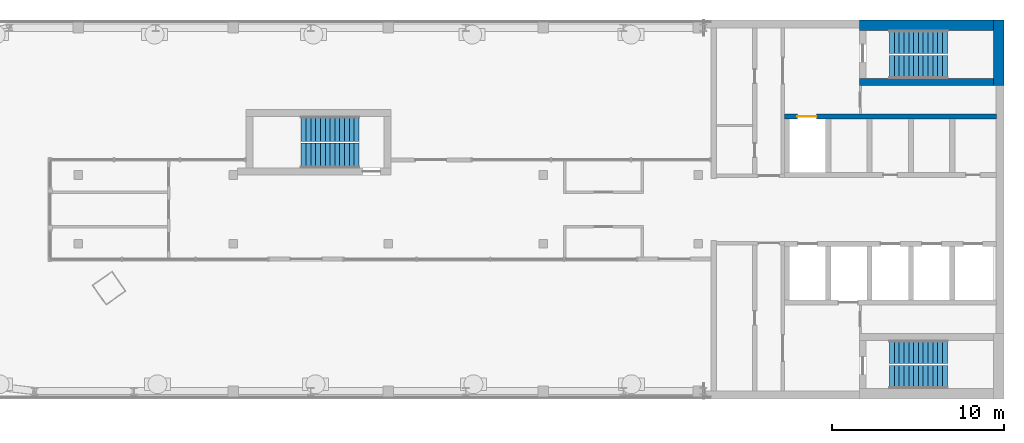
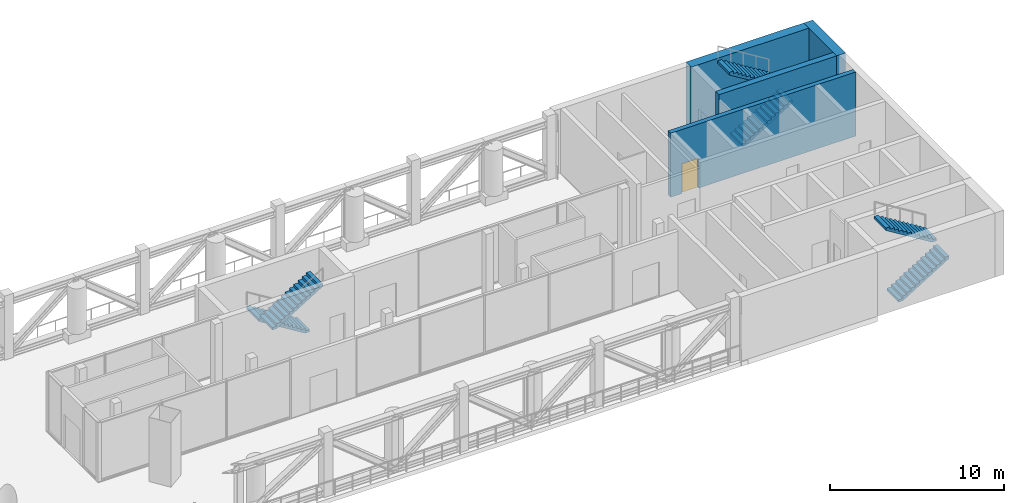
# One storey, part 6 of 9: 6 stair flights, 4 walls, 1 door, 1 opening, 3 elements without a shape of their own.
"""IFC4 building model written with IfcOpenShell, lengths in metres."""

from ifc_helpers import new_model, si_unit, direction, frame, frame_2d, origin, place, context, subcontext, project, spatial, polyline, rectangle, outline, extrude, material, layer, layer_set, type_object, element, fill, aggregate, save


model = new_model("IFC4")

# Units and contexts
model_context = context("Model", 3, precision=1e-05, world=origin(), true_north=direction((0.0, 1.0)))
body_context = subcontext(model_context, "Body", "Model", "MODEL_VIEW")
ifc_project = project(units=[si_unit("LENGTHUNIT", "METRE"), si_unit("AREAUNIT", "SQUARE_METRE"), si_unit("VOLUMEUNIT", "CUBIC_METRE"), si_unit("PLANEANGLEUNIT", "RADIAN"), si_unit("MASSUNIT", "GRAM", prefix="KILO")], contexts=[model_context])

# Site, building, storey
site_placement = place(None, origin())
site = spatial("IfcSite", under=ifc_project, at=site_placement, CompositionType="ELEMENT")
building_placement = place(site_placement, origin())
building = spatial("IfcBuilding", under=site, at=building_placement, Name="Skarvind Civic Tower", CompositionType="ELEMENT")
storey_placement = place(building_placement, frame((0.0, 0.0, 277.5)))
storey = spatial("IfcBuildingStorey", under=building, at=storey_placement, Name="L66", CompositionType="ELEMENT", Elevation=277.5)

# Wall, opening, door
ifc_material_1 = material(Name="Concrete C60", Category="concrete")
ifc_layer_1 = layer(ifc_material_1, 0.300048828125)
ifc_layer_set_1 = layer_set([ifc_layer_1], Name="Core wall 300 C60")
wall_type_1 = type_object("IfcWallType", Name="Core wall 300 C60", PredefinedType="SHEAR", material=ifc_layer_set_1)
wall_1_placement = place(storey_placement, frame((107.550048828125, 133.39990234375, 0.0), z_axis=(0.0, 0.0, 1.0), x_axis=(-1.0, 0.0, 0.0)))
wall_1 = element("IfcWall", 1, at=wall_1_placement, inside=storey, type_object=wall_type_1, Name="Core wall C1 south lift row back L66", PredefinedType="SHEAR", context=body_context, shape_type="SweptSolid", body=[
    extrude(rectangle(XDim=12.300048828125, YDim=0.300048828125, at=frame_2d((6.14990234375, 0.0))), origin(), (0.0, 0.0, 1.0), 4.5),
])
opening_placement = place(wall_1_placement, frame((10.449951171875, 0.0, 0.0)))
opening = element("IfcOpeningElement", 2, at=opening_placement, cuts=wall_1, Name="Opening LD68110", PredefinedType="OPENING", context=body_context, shape_type="SweptSolid", body=[
    extrude(rectangle(XDim=1.10009765625, YDim=2.10009765625, at=frame_2d((0.550048828125, 1.050048828125))), frame((0.0, 0.159912109375, 0.0), z_axis=(0.0, -1.0, 0.0), x_axis=(1.0, 0.0, 0.0)), (0.0, 0.0, 1.0), 0.320068359375),
])
ifc_material_2 = material(Name="Stainless steel landing door", Category="steel")
door_type = type_object("IfcDoorType", Name="Lift landing door 1100", OperationType="DOUBLE_DOOR_SLIDING", PredefinedType="DOOR", material=ifc_material_2)
door_placement = place(opening_placement, origin())
door = element("IfcDoor", 3, at=door_placement, inside=storey, type_object=door_type, Name="Lift landing door", OperationType="DOUBLE_DOOR_SLIDING", OverallHeight=2.10009765625, OverallWidth=1.10009765625, PredefinedType="DOOR", context=body_context, shape_type="SweptSolid", body=[
    extrude(rectangle(XDim=1.10009765625, YDim=2.10009765625, at=frame_2d((0.550048828125, 1.050048828125))), frame((0.0, 0.02490234375, 0.0), z_axis=(0.0, -1.0, 0.0), x_axis=(1.0, 0.0, 0.0)), (0.0, 0.0, 1.0), 0.050048828125),
])
fill(opening, door)

# Walls
ifc_layer_2 = layer(ifc_material_1, 0.39990234375)
ifc_layer_set_2 = layer_set([ifc_layer_2], Name="Core wall 400 C60")
wall_type_2 = type_object("IfcWallType", Name="Core wall 400 C60", PredefinedType="SHEAR", material=ifc_layer_set_2)
wall_2_placement = place(storey_placement, frame((107.39990234375, 135.39990234375, 0.0), z_axis=(0.0, 0.0, 1.0), x_axis=(-1.0, 0.0, 0.0)))
element("IfcWall", 4, at=wall_2_placement, inside=storey, type_object=wall_type_2, Name="Core wall C1 south stair inner L66", PredefinedType="SHEAR", context=body_context, shape_type="SweptSolid", body=[
    extrude(rectangle(XDim=7.7998046875, YDim=0.39990234375, at=frame_2d((3.89990234375, 0.0))), origin(), (0.0, 0.0, 1.0), 4.5),
])
ifc_layer_3 = layer(ifc_material_1, 0.60009765625)
ifc_layer_set_3 = layer_set([ifc_layer_3], Name="Core wall 600 C60")
wall_type_3 = type_object("IfcWallType", Name="Core wall 600 C60", PredefinedType="SHEAR", material=ifc_layer_set_3)
wall_3_placement = place(storey_placement, frame((107.699951171875, 139.0, 0.0), z_axis=(0.0, 0.0, 1.0), x_axis=(0.0, -1.0, 0.0)))
element("IfcWall", 5, at=wall_3_placement, inside=storey, type_object=wall_type_3, Name="Core wall C1 tip at the south stair L66", PredefinedType="SHEAR", context=body_context, shape_type="SweptSolid", body=[
    extrude(rectangle(XDim=3.800048828125, YDim=0.60009765625, at=frame_2d((1.89990234375, 0.0))), origin(), (0.0, 0.0, 1.0), 4.5),
])
wall_4_placement = place(storey_placement, frame((107.39990234375, 138.699951171875, 0.0), z_axis=(0.0, 0.0, 1.0), x_axis=(-1.0, 0.0, 0.0)))
element("IfcWall", 6, at=wall_4_placement, inside=storey, type_object=wall_type_3, Name="Core wall C1 south side at the stair L66", PredefinedType="SHEAR", context=body_context, shape_type="SweptSolid", body=[
    extrude(rectangle(XDim=7.7998046875, YDim=0.60009765625, at=frame_2d((3.89990234375, 0.0))), origin(), (0.0, 0.0, 1.0), 4.5),
])

# Stair, stair flights
ifc_material_3 = material(Name="Concrete C40/50", Category="concrete")
stair_type_1 = type_object("IfcStairType", Name="Exit stair 1450, half-turn, concrete", PredefinedType="HALF_TURN_STAIR", material=ifc_material_3)
stair_1_placement = place(storey_placement, origin())
stair_1 = element("IfcStair", 7, at=stair_1_placement, inside=storey, type_object=stair_type_1, Name="Exit stair CM", PredefinedType="HALF_TURN_STAIR")
stair_flight_type_1 = type_object("IfcStairFlightType", Name="Stair flight 1450, concrete", PredefinedType="STRAIGHT", material=ifc_material_3)
stair_flight_1_placement = place(storey_placement, frame((70.550048828125, 132.675048828125, 0.0), z_axis=(0.0, 0.0, 1.0), x_axis=(-1.0, 0.0, 0.0)))
stair_flight_1 = element("IfcStairFlight", 8, at=stair_flight_1_placement, type_object=stair_flight_type_1, Name="ST-CM flight 1", NumberOfRisers=13, NumberOfTreads=12, PredefinedType="STRAIGHT", RiserHeight=0.173076923, TreadLength=0.28, context=body_context, shape_type="SweptSolid", body=[
    extrude(outline(polyline([(0.0, 0.0), (0.0, 0.173095703125), (0.280029296875, 0.173095703125), (0.280029296875, 0.34619140625), (0.56005859375, 0.34619140625), (0.56005859375, 0.519287109375), (0.840087890625, 0.519287109375), (0.840087890625, 0.6923828125), (1.1201171875, 0.6923828125), (1.1201171875, 0.865478515625), (1.39990234375, 0.865478515625), (1.39990234375, 1.03857421875), (1.679931640625, 1.03857421875), (1.679931640625, 1.21142578125), (1.9599609375, 1.21142578125), (1.9599609375, 1.384521484375), (2.239990234375, 1.384521484375), (2.239990234375, 1.5576171875), (2.52001953125, 1.5576171875), (2.52001953125, 1.730712890625), (2.800048828125, 1.730712890625), (2.800048828125, 1.90380859375), (3.080078125, 1.90380859375), (3.080078125, 2.076904296875), (3.360107421875, 2.076904296875), (3.360107421875, 2.25), (3.360107421875, 1.900634765625), (0.28515625, 0.0), (0.0, 0.0)])), frame((0.0, 0.72509765625, 0.0), z_axis=(0.0, -1.0, 0.0), x_axis=(1.0, 0.0, 0.0)), (0.0, 0.0, 1.0), 1.449951171875),
])
stair_flight_2_placement = place(storey_placement, frame((67.18994140625, 131.125, 2.25), z_axis=(0.0, 0.0, 1.0), x_axis=(1.0, 0.0, 0.0)))
stair_flight_2 = element("IfcStairFlight", 9, at=stair_flight_2_placement, type_object=stair_flight_type_1, Name="ST-CM flight 2", NumberOfRisers=13, NumberOfTreads=12, PredefinedType="STRAIGHT", RiserHeight=0.173076923, TreadLength=0.28, context=body_context, shape_type="SweptSolid", body=[
    extrude(outline(polyline([(0.0, 0.0), (0.0, 0.173095703125), (0.280029296875, 0.173095703125), (0.280029296875, 0.34619140625), (0.56005859375, 0.34619140625), (0.56005859375, 0.519287109375), (0.840087890625, 0.519287109375), (0.840087890625, 0.6923828125), (1.1201171875, 0.6923828125), (1.1201171875, 0.865478515625), (1.39990234375, 0.865478515625), (1.39990234375, 1.03857421875), (1.679931640625, 1.03857421875), (1.679931640625, 1.21142578125), (1.9599609375, 1.21142578125), (1.9599609375, 1.384521484375), (2.239990234375, 1.384521484375), (2.239990234375, 1.5576171875), (2.52001953125, 1.5576171875), (2.52001953125, 1.730712890625), (2.800048828125, 1.730712890625), (2.800048828125, 1.90380859375), (3.080078125, 1.90380859375), (3.080078125, 2.076904296875), (3.360107421875, 2.076904296875), (3.360107421875, 2.25), (3.360107421875, 1.900634765625), (0.28515625, 0.0), (0.0, 0.0)])), frame((0.0, 0.72509765625, 0.0), z_axis=(0.0, -1.0, 0.0), x_axis=(1.0, 0.0, 0.0)), (0.0, 0.0, 1.0), 1.449951171875),
])
aggregate(stair_1, [stair_flight_1, stair_flight_2])

stair_type_2 = type_object("IfcStairType", Name="Exit stair, half-turn, concrete", PredefinedType="HALF_TURN_STAIR", material=ifc_material_3)
stair_2_placement = place(storey_placement, origin())
stair_2 = element("IfcStair", 10, at=stair_2_placement, inside=storey, type_object=stair_type_2, Name="Exit stair C1S", PredefinedType="HALF_TURN_STAIR")
stair_flight_type_2 = type_object("IfcStairFlightType", Name="Stair flight, concrete", PredefinedType="STRAIGHT", material=ifc_material_3)
stair_flight_3_placement = place(storey_placement, frame((101.35009765625, 136.27490234375, 0.0), z_axis=(0.0, 0.0, 1.0), x_axis=(1.0, 0.0, 0.0)))
stair_flight_3 = element("IfcStairFlight", 11, at=stair_flight_3_placement, type_object=stair_flight_type_2, Name="ST-C1S flight 1", NumberOfRisers=13, NumberOfTreads=12, PredefinedType="STRAIGHT", RiserHeight=0.173076923, TreadLength=0.28, context=body_context, shape_type="SweptSolid", body=[
    extrude(outline(polyline([(0.0, 0.0), (0.0, 0.173095703125), (0.280029296875, 0.173095703125), (0.280029296875, 0.34619140625), (0.56005859375, 0.34619140625), (0.56005859375, 0.519287109375), (0.840087890625, 0.519287109375), (0.840087890625, 0.6923828125), (1.1201171875, 0.6923828125), (1.1201171875, 0.865478515625), (1.39990234375, 0.865478515625), (1.39990234375, 1.03857421875), (1.679931640625, 1.03857421875), (1.679931640625, 1.21142578125), (1.9599609375, 1.21142578125), (1.9599609375, 1.384521484375), (2.239990234375, 1.384521484375), (2.239990234375, 1.5576171875), (2.52001953125, 1.5576171875), (2.52001953125, 1.730712890625), (2.800048828125, 1.730712890625), (2.800048828125, 1.90380859375), (3.080078125, 1.90380859375), (3.080078125, 2.076904296875), (3.360107421875, 2.076904296875), (3.360107421875, 2.25), (3.360107421875, 1.900634765625), (0.28515625, 0.0), (0.0, 0.0)])), frame((0.0, 0.675048828125, 0.0), z_axis=(0.0, -1.0, 0.0), x_axis=(1.0, 0.0, 0.0)), (0.0, 0.0, 1.0), 1.35009765625),
])
stair_flight_4_placement = place(storey_placement, frame((104.7099609375, 137.72509765625, 2.25), z_axis=(0.0, 0.0, 1.0), x_axis=(-1.0, 0.0, 0.0)))
stair_flight_4 = element("IfcStairFlight", 12, at=stair_flight_4_placement, type_object=stair_flight_type_2, Name="ST-C1S flight 2", NumberOfRisers=13, NumberOfTreads=12, PredefinedType="STRAIGHT", RiserHeight=0.173076923, TreadLength=0.28, context=body_context, shape_type="SweptSolid", body=[
    extrude(outline(polyline([(0.0, 0.0), (0.0, 0.173095703125), (0.280029296875, 0.173095703125), (0.280029296875, 0.34619140625), (0.56005859375, 0.34619140625), (0.56005859375, 0.519287109375), (0.840087890625, 0.519287109375), (0.840087890625, 0.6923828125), (1.1201171875, 0.6923828125), (1.1201171875, 0.865478515625), (1.39990234375, 0.865478515625), (1.39990234375, 1.03857421875), (1.679931640625, 1.03857421875), (1.679931640625, 1.21142578125), (1.9599609375, 1.21142578125), (1.9599609375, 1.384521484375), (2.239990234375, 1.384521484375), (2.239990234375, 1.5576171875), (2.52001953125, 1.5576171875), (2.52001953125, 1.730712890625), (2.800048828125, 1.730712890625), (2.800048828125, 1.90380859375), (3.080078125, 1.90380859375), (3.080078125, 2.076904296875), (3.360107421875, 2.076904296875), (3.360107421875, 2.25), (3.360107421875, 1.900634765625), (0.28515625, 0.0), (0.0, 0.0)])), frame((0.0, 0.675048828125, 0.0), z_axis=(0.0, -1.0, 0.0), x_axis=(1.0, 0.0, 0.0)), (0.0, 0.0, 1.0), 1.35009765625),
])
aggregate(stair_2, [stair_flight_3, stair_flight_4])

stair_3_placement = place(storey_placement, origin())
stair_3 = element("IfcStair", 13, at=stair_3_placement, inside=storey, type_object=stair_type_2, Name="Exit stair C1N", PredefinedType="HALF_TURN_STAIR")
stair_flight_5_placement = place(storey_placement, frame((101.35009765625, 118.27490234375, 0.0), z_axis=(0.0, 0.0, 1.0), x_axis=(1.0, 0.0, 0.0)))
stair_flight_5 = element("IfcStairFlight", 14, at=stair_flight_5_placement, type_object=stair_flight_type_2, Name="ST-C1N flight 1", NumberOfRisers=13, NumberOfTreads=12, PredefinedType="STRAIGHT", RiserHeight=0.173076923, TreadLength=0.28, context=body_context, shape_type="SweptSolid", body=[
    extrude(outline(polyline([(0.0, 0.0), (0.0, 0.173095703125), (0.280029296875, 0.173095703125), (0.280029296875, 0.34619140625), (0.56005859375, 0.34619140625), (0.56005859375, 0.519287109375), (0.840087890625, 0.519287109375), (0.840087890625, 0.6923828125), (1.1201171875, 0.6923828125), (1.1201171875, 0.865478515625), (1.39990234375, 0.865478515625), (1.39990234375, 1.03857421875), (1.679931640625, 1.03857421875), (1.679931640625, 1.21142578125), (1.9599609375, 1.21142578125), (1.9599609375, 1.384521484375), (2.239990234375, 1.384521484375), (2.239990234375, 1.5576171875), (2.52001953125, 1.5576171875), (2.52001953125, 1.730712890625), (2.800048828125, 1.730712890625), (2.800048828125, 1.90380859375), (3.080078125, 1.90380859375), (3.080078125, 2.076904296875), (3.360107421875, 2.076904296875), (3.360107421875, 2.25), (3.360107421875, 1.900634765625), (0.28515625, 0.0), (0.0, 0.0)])), frame((0.0, 0.675048828125, 0.0), z_axis=(0.0, -1.0, 0.0), x_axis=(1.0, 0.0, 0.0)), (0.0, 0.0, 1.0), 1.35009765625),
])
stair_flight_6_placement = place(storey_placement, frame((104.7099609375, 119.72509765625, 2.25), z_axis=(0.0, 0.0, 1.0), x_axis=(-1.0, 0.0, 0.0)))
stair_flight_6 = element("IfcStairFlight", 15, at=stair_flight_6_placement, type_object=stair_flight_type_2, Name="ST-C1N flight 2", NumberOfRisers=13, NumberOfTreads=12, PredefinedType="STRAIGHT", RiserHeight=0.173076923, TreadLength=0.28, context=body_context, shape_type="SweptSolid", body=[
    extrude(outline(polyline([(0.0, 0.0), (0.0, 0.173095703125), (0.280029296875, 0.173095703125), (0.280029296875, 0.34619140625), (0.56005859375, 0.34619140625), (0.56005859375, 0.519287109375), (0.840087890625, 0.519287109375), (0.840087890625, 0.6923828125), (1.1201171875, 0.6923828125), (1.1201171875, 0.865478515625), (1.39990234375, 0.865478515625), (1.39990234375, 1.03857421875), (1.679931640625, 1.03857421875), (1.679931640625, 1.21142578125), (1.9599609375, 1.21142578125), (1.9599609375, 1.384521484375), (2.239990234375, 1.384521484375), (2.239990234375, 1.5576171875), (2.52001953125, 1.5576171875), (2.52001953125, 1.730712890625), (2.800048828125, 1.730712890625), (2.800048828125, 1.90380859375), (3.080078125, 1.90380859375), (3.080078125, 2.076904296875), (3.360107421875, 2.076904296875), (3.360107421875, 2.25), (3.360107421875, 1.900634765625), (0.28515625, 0.0), (0.0, 0.0)])), frame((0.0, 0.675048828125, 0.0), z_axis=(0.0, -1.0, 0.0), x_axis=(1.0, 0.0, 0.0)), (0.0, 0.0, 1.0), 1.35009765625),
])
aggregate(stair_3, [stair_flight_5, stair_flight_6])

save(model, "model.ifc")
